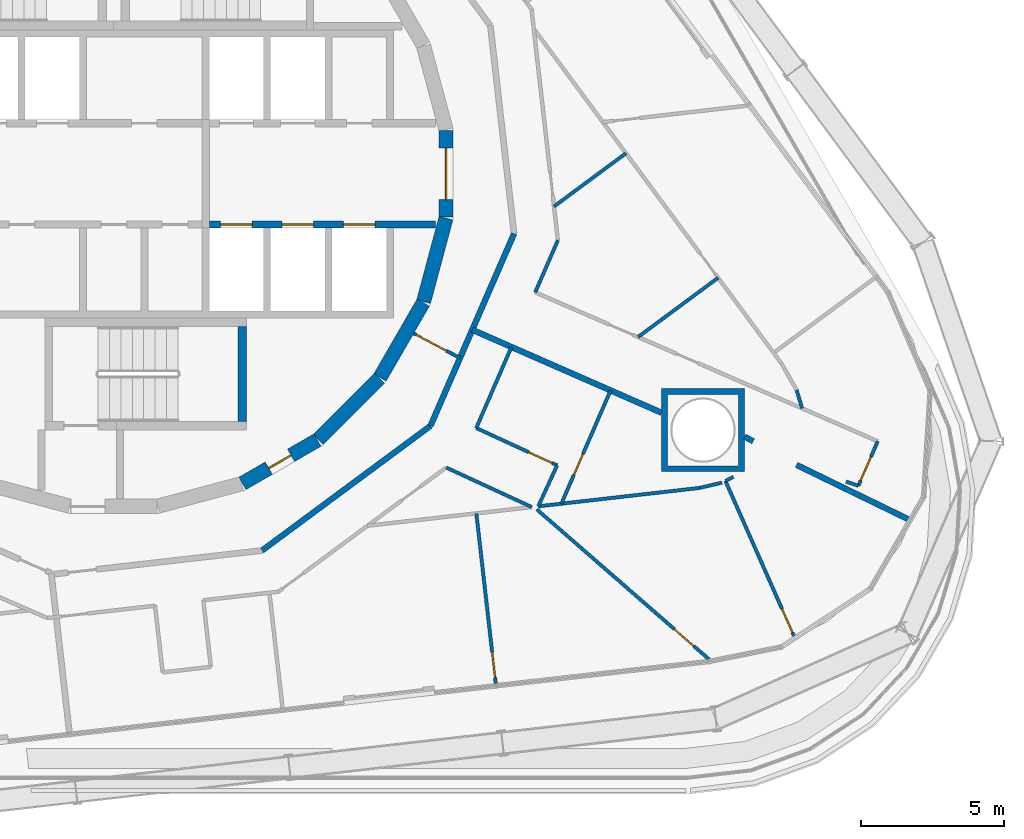
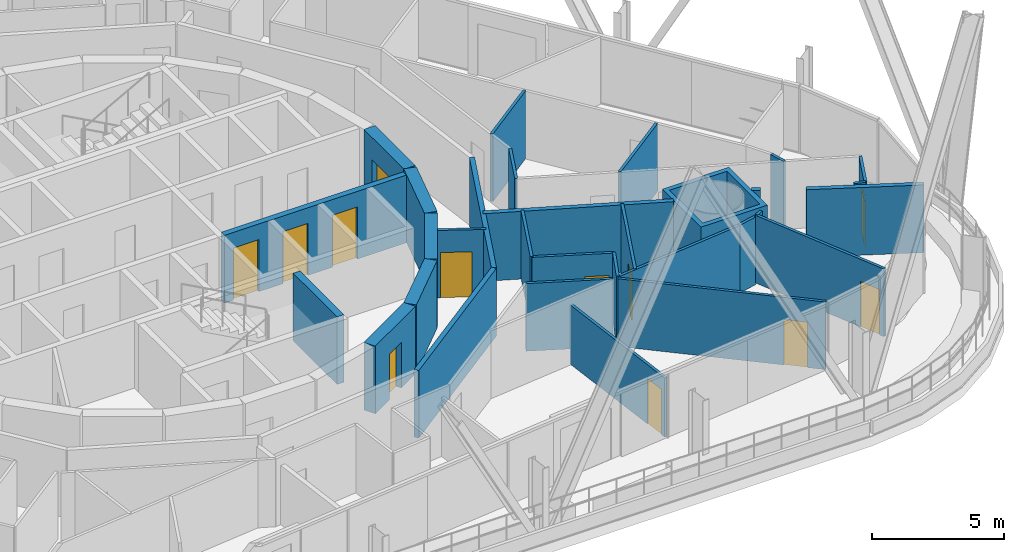
# One storey, part 19 of 32: 31 walls, 12 doors, 12 openings.
"""IFC4 building model written with IfcOpenShell, lengths in metres."""

from ifc_helpers import new_model, si_unit, direction, frame, frame_2d, origin, place, context, subcontext, project, spatial, polyline, rectangle, outline, extrude, material, layer, layer_set, type_object, element, fill, save


model = new_model("IFC4")

# Units and contexts
model_context = context("Model", 3, precision=1e-05, world=origin(), true_north=direction((0.0, 1.0)))
body_context = subcontext(model_context, "Body", "Model", "MODEL_VIEW")
ifc_project = project(units=[si_unit("LENGTHUNIT", "METRE"), si_unit("AREAUNIT", "SQUARE_METRE"), si_unit("VOLUMEUNIT", "CUBIC_METRE"), si_unit("PLANEANGLEUNIT", "RADIAN"), si_unit("MASSUNIT", "GRAM", prefix="KILO")], contexts=[model_context])

# Site, building, storey
site_placement = place(None, origin())
site = spatial("IfcSite", under=ifc_project, at=site_placement, CompositionType="ELEMENT")
building_placement = place(site_placement, origin())
building = spatial("IfcBuilding", under=site, at=building_placement, Name="Spindle Arch Residences", CompositionType="ELEMENT")
storey_placement = place(building_placement, frame((0.0, 0.0, 76.699951171875)))
storey = spatial("IfcBuildingStorey", under=building, at=storey_placement, Name="L17", CompositionType="ELEMENT", Elevation=76.699951171875)

# Wall, opening, door
ifc_material_1 = material(Name="Concrete C50/60", Category="concrete")
ifc_layer_1 = layer(ifc_material_1, 0.5)
ifc_layer_set_1 = layer_set([ifc_layer_1], Name="Core outline wall 500")
wall_type_1 = type_object("IfcWallType", Name="Core outline wall 500", PredefinedType="SHEAR", material=ifc_layer_set_1)
wall_1_placement = place(storey_placement, frame((4.510498046875, -10.84521484375, 0.0), z_axis=(0.0, 0.0, 1.0), x_axis=(0.865975092491, 0.500087131594, 0.0)))
wall_1 = element("IfcWall", 1, at=wall_1_placement, inside=storey, type_object=wall_type_1, Name="Core outline wall 2", PredefinedType="SHEAR", context=body_context, shape_type="SweptSolid", body=[
    extrude(rectangle(XDim=3.03271484375, YDim=0.5, at=frame_2d((1.516357421875, 0.0))), origin(), (0.0, 0.0, 1.0), 3.1201171875),
])
opening_1_placement = place(wall_1_placement, frame((1.06640625, 0.0, 0.0)))
opening_1 = element("IfcOpeningElement", 2, at=opening_1_placement, cuts=wall_1, Name="Opening R2A0-WD09", PredefinedType="OPENING", context=body_context, shape_type="SweptSolid", body=[
    extrude(rectangle(XDim=0.89990234375, YDim=2.10009765625, at=frame_2d((0.449951171875, 1.050048828125))), frame((0.0, 0.260009765625, 0.0), z_axis=(0.0, -1.0, 0.0), x_axis=(1.0, 0.0, 0.0)), (0.0, 0.0, 1.0), 0.52001953125),
])
ifc_material_2 = material(Name="Steel, fire-resisting door", Category="steel")
door_type_1 = type_object("IfcDoorType", Name="Service room door 900x2100", OperationType="SINGLE_SWING_LEFT", PredefinedType="DOOR", material=ifc_material_2)
door_1_placement = place(opening_1_placement, origin())
door_1 = element("IfcDoor", 3, at=door_1_placement, inside=storey, type_object=door_type_1, Name="Service room door R2A0-WD09", OperationType="SINGLE_SWING_RIGHT", OverallHeight=2.10009765625, OverallWidth=0.89990234375, PredefinedType="DOOR", context=body_context, shape_type="SweptSolid", body=[
    extrude(rectangle(XDim=0.89990234375, YDim=2.10009765625, at=frame_2d((0.449951171875, 1.050048828125))), frame((0.0, 0.02490234375, 0.0), z_axis=(0.0, -1.0, 0.0), x_axis=(1.0, 0.0, 0.0)), (0.0, 0.0, 1.0), 0.050048828125),
])
fill(opening_1, door_1)

# Walls
wall_2_placement = place(storey_placement, frame((7.163818359375, -9.30810546875, 0.0), z_axis=(0.0, 0.0, 1.0), x_axis=(0.707106781187, 0.707106781187, 0.0)))
element("IfcWall", 4, at=wall_2_placement, inside=storey, type_object=wall_type_1, Name="Core outline wall 3", PredefinedType="SHEAR", context=body_context, shape_type="SweptSolid", body=[
    extrude(rectangle(XDim=3.032470703125, YDim=0.5, at=frame_2d((1.51611328125, 0.0))), origin(), (0.0, 0.0, 1.0), 3.1201171875),
])
for number, where, z_axis, x_axis, name in (
    (5, (9.32861328125, -7.13671875, 0.0), (0.0, 0.0, 1.0), (0.500087131594, 0.865975092491, 0.0), "Core outline wall 4"),
    (6, (10.858154296875, -4.479248046875, 0.0), (0.0, 0.0, 1.0), (0.258734743916, 0.965948410781, 0.0), "Core outline wall 5"),
):
    element("IfcWall", number, at=place(storey_placement, frame(where, z_axis=z_axis, x_axis=x_axis)), inside=storey, type_object=wall_type_1, Name=name, PredefinedType="SHEAR", context=body_context, shape_type="SweptSolid", body=[
        extrude(rectangle(XDim=3.03271484375, YDim=0.5, at=frame_2d((1.516357421875, 0.0))), origin(), (0.0, 0.0, 1.0), 3.1201171875),
    ])

# Wall, opening, door
wall_3_placement = place(storey_placement, frame((11.647216796875, -1.516357421875, 0.0), z_axis=(0.0, 0.0, 1.0), x_axis=(0.0, 1.0, 0.0)))
wall_3 = element("IfcWall", 7, at=wall_3_placement, inside=storey, type_object=wall_type_1, Name="Core outline wall 6", PredefinedType="SHEAR", context=body_context, shape_type="SweptSolid", body=[
    extrude(rectangle(XDim=3.03271484375, YDim=0.5, at=frame_2d((1.516357421875, 0.0))), origin(), (0.0, 0.0, 1.0), 3.1201171875),
])
opening_2_placement = place(wall_3_placement, frame((0.6162109375, 0.0, 0.0)))
opening_2 = element("IfcOpeningElement", 8, at=opening_2_placement, cuts=wall_3, Name="Opening R2A0-FE01", PredefinedType="OPENING", context=body_context, shape_type="SweptSolid", body=[
    extrude(rectangle(XDim=1.800048828125, YDim=2.10009765625, at=frame_2d((0.89990234375, 1.050048828125))), frame((0.0, 0.260009765625, 0.0), z_axis=(0.0, -1.0, 0.0), x_axis=(1.0, 0.0, 0.0)), (0.0, 0.0, 1.0), 0.52001953125),
])
ifc_material_3 = material(Name="Steel, fire-resisting door", Category="steel")
door_type_2 = type_object("IfcDoorType", Name="Fire-lift lobby door 1800x2100", OperationType="DOUBLE_DOOR_SINGLE_SWING", PredefinedType="DOOR", material=ifc_material_3)
door_2_placement = place(opening_2_placement, origin())
door_2 = element("IfcDoor", 9, at=door_2_placement, inside=storey, type_object=door_type_2, Name="Fire-lift lobby door R2A0-FE01", OperationType="DOUBLE_DOOR_SINGLE_SWING", OverallHeight=2.10009765625, OverallWidth=1.800048828125, PredefinedType="DOOR", context=body_context, shape_type="SweptSolid", body=[
    extrude(rectangle(XDim=1.800048828125, YDim=2.10009765625, at=frame_2d((0.89990234375, 1.050048828125))), frame((0.0, 0.02490234375, 0.0), z_axis=(0.0, -1.0, 0.0), x_axis=(1.0, 0.0, 0.0)), (0.0, 0.0, 1.0), 0.050048828125),
])
fill(opening_2, door_2)

ifc_material_4 = material(Name="Plasterboard on steel studs", Category="steel")
ifc_layer_2 = layer(ifc_material_4, 0.1201171875)
ifc_layer_set_2 = layer_set([ifc_layer_2], Name="Corridor division wall 120")
wall_type_2 = type_object("IfcWallType", Name="Corridor division wall 120", PredefinedType="PARTITIONING", material=ifc_layer_set_2)
wall_4_placement = place(storey_placement, frame((10.510986328125, -5.5888671875, 0.0), z_axis=(0.0, 0.0, 1.0), x_axis=(0.882962602189, -0.469443333253, 0.0)))
wall_4 = element("IfcWall", 10, at=wall_4_placement, inside=storey, type_object=wall_type_2, Name="Corridor division wall R2A0-W002", PredefinedType="PARTITIONING", context=body_context, shape_type="SweptSolid", body=[
    extrude(rectangle(XDim=1.837890625, YDim=0.1201171875, at=frame_2d((0.9189453125, 0.0))), origin(), (0.0, 0.0, 1.0), 3.1201171875),
])
opening_3_placement = place(wall_4_placement, frame((0.10009765625, 0.0, 0.0)))
opening_3 = element("IfcOpeningElement", 11, at=opening_3_placement, cuts=wall_4, Name="Opening R2A0-CD02", PredefinedType="OPENING", context=body_context, shape_type="SweptSolid", body=[
    extrude(rectangle(XDim=1.199951171875, YDim=2.10009765625, at=frame_2d((0.60009765625, 1.050048828125))), frame((0.0, 0.070068359375, 0.0), z_axis=(0.0, -1.0, 0.0), x_axis=(1.0, 0.0, 0.0)), (0.0, 0.0, 1.0), 0.14013671875),
])
ifc_material_5 = material(Name="Steel, fire-resisting door", Category="steel")
door_type_3 = type_object("IfcDoorType", Name="Corridor division door 1200x2100", OperationType="NOTDEFINED", PredefinedType="DOOR", material=ifc_material_5)
door_3_placement = place(opening_3_placement, origin())
door_3 = element("IfcDoor", 12, at=door_3_placement, inside=storey, type_object=door_type_3, Name="Corridor division door R2A0-CD02", OperationType="DOUBLE_DOOR_SINGLE_SWING", OverallHeight=2.10009765625, OverallWidth=1.199951171875, PredefinedType="DOOR", context=body_context, shape_type="SweptSolid", body=[
    extrude(rectangle(XDim=1.199951171875, YDim=2.10009765625, at=frame_2d((0.60009765625, 1.050048828125))), frame((0.0, 0.02490234375, 0.0), z_axis=(0.0, -1.0, 0.0), x_axis=(1.0, 0.0, 0.0)), (0.0, 0.0, 1.0), 0.050048828125),
])
fill(opening_3, door_3)

# Walls
ifc_material_6 = material(Name="Calcium silicate block, plastered")
ifc_layer_3 = layer(ifc_material_6, 0.199951171875)
ifc_layer_set_3 = layer_set([ifc_layer_3], Name="Corridor wall 200")
wall_type_3 = type_object("IfcWallType", Name="Corridor wall 200", PredefinedType="STANDARD", material=ifc_layer_set_3)
for number, where, z_axis, x_axis, name in (
    (13, (11.10009765625, -8.829345703125, 0.0), (0.0, 0.0, 1.0), (0.398741918631, 0.917063183388, 0.0), "Corridor wall R2A0-W004"),
    (14, (5.1982421875, -13.1962890625, 0.0), (0.0, 0.0, 1.0), (0.803869883159, 0.594805187394, 0.0), "Corridor wall R2A0-W015"),
):
    element("IfcWall", number, at=place(storey_placement, frame(where, z_axis=z_axis, x_axis=x_axis)), inside=storey, type_object=wall_type_3, Name=name, PredefinedType="STANDARD", context=body_context, shape_type="SweptSolid", body=[
        extrude(rectangle(XDim=7.341796875, YDim=0.199951171875, at=frame_2d((3.6708984375, 0.0))), origin(), (0.0, 0.0, 1.0), 3.1201171875),
    ])

# Wall, openings, doors
ifc_material_7 = material(Name="Concrete C50/60", Category="concrete")
ifc_layer_4 = layer(ifc_material_7, 0.25)
ifc_layer_set_4 = layer_set([ifc_layer_4], Name="Fire-lift shaft wall 250")
wall_type_4 = type_object("IfcWallType", Name="Fire-lift shaft wall 250", PredefinedType="SHEAR", material=ifc_layer_set_4)
wall_5_placement = place(storey_placement, frame((3.35009765625, -1.77490234375, 0.0), z_axis=(0.0, 0.0, 1.0), x_axis=(1.0, 0.0, 0.0)))
wall_5 = element("IfcWall", 15, at=wall_5_placement, inside=storey, type_object=wall_type_4, Name="Lift shaft front wall SE", PredefinedType="SHEAR", context=body_context, shape_type="SweptSolid", body=[
    extrude(rectangle(XDim=7.929931640625, YDim=0.25, at=frame_2d((3.96484375, 0.0))), origin(), (0.0, 0.0, 1.0), 3.1201171875),
])
opening_4_placement = place(wall_5_placement, frame((0.39990234375, 0.0, 0.0)))
opening_4 = element("IfcOpeningElement", 16, at=opening_4_placement, cuts=wall_5, Name="Opening R2A0-FLD01", PredefinedType="OPENING", context=body_context, shape_type="SweptSolid", body=[
    extrude(rectangle(XDim=1.10009765625, YDim=2.39990234375, at=frame_2d((0.550048828125, 1.199951171875))), frame((0.0, 0.135009765625, 0.0), z_axis=(0.0, -1.0, 0.0), x_axis=(1.0, 0.0, 0.0)), (0.0, 0.0, 1.0), 0.27001953125),
])
opening_5_placement = place(wall_5_placement, frame((2.550048828125, 0.0, 0.0)))
opening_5 = element("IfcOpeningElement", 17, at=opening_5_placement, cuts=wall_5, Name="Opening R2A0-FLD02", PredefinedType="OPENING", context=body_context, shape_type="SweptSolid", body=[
    extrude(rectangle(XDim=1.10009765625, YDim=2.39990234375, at=frame_2d((0.550048828125, 1.199951171875))), frame((0.0, 0.135009765625, 0.0), z_axis=(0.0, -1.0, 0.0), x_axis=(1.0, 0.0, 0.0)), (0.0, 0.0, 1.0), 0.27001953125),
])
opening_6_placement = place(wall_5_placement, frame((4.699951171875, 0.0, 0.0)))
opening_6 = element("IfcOpeningElement", 18, at=opening_6_placement, cuts=wall_5, Name="Opening R2A0-FLD03", PredefinedType="OPENING", context=body_context, shape_type="SweptSolid", body=[
    extrude(rectangle(XDim=1.10009765625, YDim=2.39990234375, at=frame_2d((0.550048828125, 1.199951171875))), frame((0.0, 0.135009765625, 0.0), z_axis=(0.0, -1.0, 0.0), x_axis=(1.0, 0.0, 0.0)), (0.0, 0.0, 1.0), 0.27001953125),
])
ifc_material_8 = material(Name="Steel, fire-resisting landing door", Category="steel")
door_type_4 = type_object("IfcDoorType", Name="Fire-fighting lift landing door 1100x2400", OperationType="DOUBLE_DOOR_SLIDING", PredefinedType="DOOR", material=ifc_material_8)
door_4_placement = place(opening_4_placement, origin())
door_4 = element("IfcDoor", 19, at=door_4_placement, inside=storey, type_object=door_type_4, Name="Fire-fighting lift landing door R2A0-FLD01", OperationType="DOUBLE_DOOR_SLIDING", OverallHeight=2.39990234375, OverallWidth=1.10009765625, PredefinedType="DOOR", context=body_context, shape_type="SweptSolid", body=[
    extrude(rectangle(XDim=1.10009765625, YDim=2.39990234375, at=frame_2d((0.550048828125, 1.199951171875))), frame((0.0, 0.02490234375, 0.0), z_axis=(0.0, -1.0, 0.0), x_axis=(1.0, 0.0, 0.0)), (0.0, 0.0, 1.0), 0.050048828125),
])
fill(opening_4, door_4)
door_5_placement = place(opening_5_placement, origin())
door_5 = element("IfcDoor", 20, at=door_5_placement, inside=storey, type_object=door_type_4, Name="Fire-fighting lift landing door R2A0-FLD02", OperationType="DOUBLE_DOOR_SLIDING", OverallHeight=2.39990234375, OverallWidth=1.10009765625, PredefinedType="DOOR", context=body_context, shape_type="SweptSolid", body=[
    extrude(rectangle(XDim=1.10009765625, YDim=2.39990234375, at=frame_2d((0.550048828125, 1.199951171875))), frame((0.0, 0.02490234375, 0.0), z_axis=(0.0, -1.0, 0.0), x_axis=(1.0, 0.0, 0.0)), (0.0, 0.0, 1.0), 0.050048828125),
])
fill(opening_5, door_5)
door_6_placement = place(opening_6_placement, origin())
door_6 = element("IfcDoor", 21, at=door_6_placement, inside=storey, type_object=door_type_4, Name="Fire-fighting lift landing door R2A0-FLD03", OperationType="DOUBLE_DOOR_SLIDING", OverallHeight=2.39990234375, OverallWidth=1.10009765625, PredefinedType="DOOR", context=body_context, shape_type="SweptSolid", body=[
    extrude(rectangle(XDim=1.10009765625, YDim=2.39990234375, at=frame_2d((0.550048828125, 1.199951171875))), frame((0.0, 0.02490234375, 0.0), z_axis=(0.0, -1.0, 0.0), x_axis=(1.0, 0.0, 0.0)), (0.0, 0.0, 1.0), 0.050048828125),
])
fill(opening_6, door_6)

# Wall
ifc_material_9 = material(Name="Plasterboard on steel studs", Category="steel")
ifc_layer_5 = layer(ifc_material_9, 0.1201171875)
ifc_layer_set_5 = layer_set([ifc_layer_5], Name="Flat partition 120")
wall_type_5 = type_object("IfcWallType", Name="Flat partition 120", PredefinedType="PARTITIONING", material=ifc_layer_set_5)
wall_6_placement = place(storey_placement, frame((25.65869140625, -10.783203125, 0.0), z_axis=(0.0, 0.0, 1.0), x_axis=(0.948362418423, -0.317188781837, 0.0)))
element("IfcWall", 22, at=wall_6_placement, inside=storey, type_object=wall_type_5, Name="Flat partition R2A0-W034", PredefinedType="PARTITIONING", context=body_context, shape_type="SweptSolid", body=[
    extrude(rectangle(XDim=0.457275390625, YDim=0.1201171875, at=frame_2d((0.228515625, 0.0))), origin(), (0.0, 0.0, 1.0), 3.1201171875),
])

# Wall, opening, door
wall_7_placement = place(storey_placement, frame((26.09228515625, -10.92822265625, 0.0), z_axis=(0.0, 0.0, 1.0), x_axis=(0.398783871208, 0.917044941137, 0.0)))
wall_7 = element("IfcWall", 23, at=wall_7_placement, inside=storey, type_object=wall_type_5, Name="Flat partition R2A0-W035", PredefinedType="PARTITIONING", context=body_context, shape_type="SweptSolid", body=[
    extrude(rectangle(XDim=1.7001953125, YDim=0.1201171875, at=frame_2d((0.85009765625, 0.0))), origin(), (0.0, 0.0, 1.0), 3.1201171875),
])
opening_7_placement = place(wall_7_placement, frame((0.199951171875, 0.0, 0.0)))
opening_7 = element("IfcOpeningElement", 24, at=opening_7_placement, cuts=wall_7, Name="Opening R2A0-ID02", PredefinedType="OPENING", context=body_context, shape_type="SweptSolid", body=[
    extrude(rectangle(XDim=0.89990234375, YDim=2.10009765625, at=frame_2d((0.449951171875, 1.050048828125))), frame((0.0, 0.070068359375, 0.0), z_axis=(0.0, -1.0, 0.0), x_axis=(1.0, 0.0, 0.0)), (0.0, 0.0, 1.0), 0.14013671875),
])
ifc_material_10 = material(Name="Timber door set", Category="wood")
door_type_5 = type_object("IfcDoorType", Name="Room door 900x2100", OperationType="NOTDEFINED", PredefinedType="DOOR", material=ifc_material_10)
door_7_placement = place(opening_7_placement, origin())
door_7 = element("IfcDoor", 25, at=door_7_placement, inside=storey, type_object=door_type_5, Name="Room door R2A0-ID02", OperationType="SINGLE_SWING_LEFT", OverallHeight=2.10009765625, OverallWidth=0.89990234375, PredefinedType="DOOR", context=body_context, shape_type="SweptSolid", body=[
    extrude(rectangle(XDim=0.89990234375, YDim=2.10009765625, at=frame_2d((0.449951171875, 1.050048828125))), frame((0.0, 0.02490234375, 0.0), z_axis=(0.0, -1.0, 0.0), x_axis=(1.0, 0.0, 0.0)), (0.0, 0.0, 1.0), 0.050048828125),
])
fill(opening_7, door_7)

# Walls
wall_8_placement = place(storey_placement, frame((14.769775390625, -4.151123046875, 0.0), z_axis=(0.0, 0.0, 1.0), x_axis=(0.39868125503, 0.917089557725, 0.0)))
element("IfcWall", 26, at=wall_8_placement, inside=storey, type_object=wall_type_5, Name="Flat partition R2A0-W037", PredefinedType="PARTITIONING", context=body_context, shape_type="SweptSolid", body=[
    extrude(rectangle(XDim=1.990234375, YDim=0.1201171875, at=frame_2d((0.9951171875, 0.0))), origin(), (0.0, 0.0, 1.0), 3.1201171875),
])
wall_9_placement = place(storey_placement, frame((15.428466796875, -1.1416015625, 0.0), z_axis=(0.0, 0.0, 1.0), x_axis=(0.803871695022, 0.594802738681, 0.0)))
element("IfcWall", 27, at=wall_9_placement, inside=storey, type_object=wall_type_5, Name="Flat partition R2A0-W039", PredefinedType="PARTITIONING", context=body_context, shape_type="SweptSolid", body=[
    extrude(rectangle(XDim=3.13427734375, YDim=0.1201171875, at=frame_2d((1.567138671875, 0.0))), origin(), (0.0, 0.0, 1.0), 3.1201171875),
])
wall_10_placement = place(storey_placement, frame((23.9296875, -7.573486328125, 0.0), z_axis=(0.0, 0.0, 1.0), x_axis=(0.28441027407, -0.958702662979, 0.0)))
element("IfcWall", 28, at=wall_10_placement, inside=storey, type_object=wall_type_5, Name="Flat partition R2A0-W044", PredefinedType="PARTITIONING", context=body_context, shape_type="SweptSolid", body=[
    extrude(rectangle(XDim=0.67138671875, YDim=0.1201171875, at=frame_2d((0.335693359375, 0.0))), origin(), (0.0, 0.0, 1.0), 3.1201171875),
])
wall_11_placement = place(storey_placement, frame((21.17724609375, -3.641357421875, 0.0), z_axis=(0.0, 0.0, 1.0), x_axis=(-0.803878021343, -0.594794188608, 0.0)))
element("IfcWall", 29, at=wall_11_placement, inside=storey, type_object=wall_type_5, Name="Flat partition R2A0-W046", PredefinedType="PARTITIONING", context=body_context, shape_type="SweptSolid", body=[
    extrude(rectangle(XDim=3.490234375, YDim=0.1201171875, at=frame_2d((1.7451171875, 0.0))), origin(), (0.0, 0.0, 1.0), 3.1201171875),
])
wall_12_placement = place(storey_placement, frame((11.648681640625, -10.289306640625, 0.0), z_axis=(0.0, 0.0, 1.0), x_axis=(0.9079269461, -0.419128453514, 0.0)))
element("IfcWall", 30, at=wall_12_placement, inside=storey, type_object=wall_type_5, Name="Flat partition R2A0-W119", PredefinedType="PARTITIONING", context=body_context, shape_type="SweptSolid", body=[
    extrude(rectangle(XDim=3.304443359375, YDim=0.1201171875, at=frame_2d((1.65234375, 0.0))), origin(), (0.0, 0.0, 1.0), 3.1201171875),
])
wall_13_placement = place(storey_placement, frame((14.87548828125, -11.6484375, 0.0), z_axis=(0.0, 0.0, 1.0), x_axis=(0.419087543301, 0.90794583046, 0.0)))
element("IfcWall", 31, at=wall_13_placement, inside=storey, type_object=wall_type_5, Name="Flat partition R2A0-W120", PredefinedType="PARTITIONING", context=body_context, shape_type="SweptSolid", body=[
    extrude(rectangle(XDim=1.58154296875, YDim=0.1201171875, at=frame_2d((0.790771484375, 0.0))), origin(), (0.0, 0.0, 1.0), 3.1201171875),
])

# Wall, opening, door
wall_14_placement = place(storey_placement, frame((15.538330078125, -10.21240234375, 0.0), z_axis=(0.0, 0.0, 1.0), x_axis=(-0.907941075756, 0.419097844131, 0.0)))
wall_14 = element("IfcWall", 32, at=wall_14_placement, inside=storey, type_object=wall_type_5, Name="Flat partition R2A0-W121", PredefinedType="PARTITIONING", context=body_context, shape_type="SweptSolid", body=[
    extrude(rectangle(XDim=3.122314453125, YDim=0.1201171875, at=frame_2d((1.56103515625, 0.0))), origin(), (0.0, 0.0, 1.0), 3.1201171875),
])
opening_8_placement = place(wall_14_placement, frame((0.199951171875, 0.0, 0.0)))
opening_8 = element("IfcOpeningElement", 33, at=opening_8_placement, cuts=wall_14, Name="Opening R2A0-ID31", PredefinedType="OPENING", context=body_context, shape_type="SweptSolid", body=[
    extrude(rectangle(XDim=0.89990234375, YDim=2.10009765625, at=frame_2d((0.449951171875, 1.050048828125))), frame((0.0, 0.070068359375, 0.0), z_axis=(0.0, -1.0, 0.0), x_axis=(1.0, 0.0, 0.0)), (0.0, 0.0, 1.0), 0.14013671875),
])
door_8_placement = place(opening_8_placement, origin())
door_8 = element("IfcDoor", 34, at=door_8_placement, inside=storey, type_object=door_type_5, Name="Room door R2A0-ID31", OperationType="SINGLE_SWING_LEFT", OverallHeight=2.10009765625, OverallWidth=0.89990234375, PredefinedType="DOOR", context=body_context, shape_type="SweptSolid", body=[
    extrude(rectangle(XDim=0.89990234375, YDim=2.10009765625, at=frame_2d((0.449951171875, 1.050048828125))), frame((0.0, 0.02490234375, 0.0), z_axis=(0.0, -1.0, 0.0), x_axis=(1.0, 0.0, 0.0)), (0.0, 0.0, 1.0), 0.050048828125),
])
fill(opening_8, door_8)

# Wall
wall_15_placement = place(storey_placement, frame((12.703369140625, -8.90380859375, 0.0), z_axis=(0.0, 0.0, 1.0), x_axis=(0.398679720725, 0.917090224723, 0.0)))
element("IfcWall", 35, at=wall_15_placement, inside=storey, type_object=wall_type_5, Name="Flat partition R2A0-W122", PredefinedType="PARTITIONING", context=body_context, shape_type="SweptSolid", body=[
    extrude(rectangle(XDim=3.0791015625, YDim=0.1201171875, at=frame_2d((1.53955078125, 0.0))), origin(), (0.0, 0.0, 1.0), 3.1201171875),
])

# Wall, opening, door
wall_16_placement = place(storey_placement, frame((20.856201171875, -17.005859375, 0.0), z_axis=(0.0, 0.0, 1.0), x_axis=(-0.75423134567, 0.656608770281, 0.0)))
wall_16 = element("IfcWall", 36, at=wall_16_placement, inside=storey, type_object=wall_type_5, Name="Flat partition R2A0-W126", PredefinedType="PARTITIONING", context=body_context, shape_type="SweptSolid", body=[
    extrude(rectangle(XDim=7.995361328125, YDim=0.1201171875, at=frame_2d((3.99755859375, 0.0))), origin(), (0.0, 0.0, 1.0), 3.1201171875),
])
opening_9_placement = place(wall_16_placement, frame((0.699951171875, 0.0, 0.0)))
opening_9 = element("IfcOpeningElement", 37, at=opening_9_placement, cuts=wall_16, Name="Opening R2A0-ID33", PredefinedType="OPENING", context=body_context, shape_type="SweptSolid", body=[
    extrude(rectangle(XDim=0.89990234375, YDim=2.10009765625, at=frame_2d((0.449951171875, 1.050048828125))), frame((0.0, 0.070068359375, 0.0), z_axis=(0.0, -1.0, 0.0), x_axis=(1.0, 0.0, 0.0)), (0.0, 0.0, 1.0), 0.14013671875),
])
door_9_placement = place(opening_9_placement, origin())
door_9 = element("IfcDoor", 38, at=door_9_placement, inside=storey, type_object=door_type_5, Name="Room door R2A0-ID33", OperationType="SINGLE_SWING_RIGHT", OverallHeight=2.10009765625, OverallWidth=0.89990234375, PredefinedType="DOOR", context=body_context, shape_type="SweptSolid", body=[
    extrude(rectangle(XDim=0.89990234375, YDim=2.10009765625, at=frame_2d((0.449951171875, 1.050048828125))), frame((0.0, 0.02490234375, 0.0), z_axis=(0.0, -1.0, 0.0), x_axis=(1.0, 0.0, 0.0)), (0.0, 0.0, 1.0), 0.050048828125),
])
fill(opening_9, door_9)

# Walls
wall_17_placement = place(storey_placement, frame((20.52685546875, -11.00439453125, 0.0), z_axis=(0.0, 0.0, 1.0), x_axis=(-0.993568869194, -0.113229422712, 0.0)))
element("IfcWall", 39, at=wall_17_placement, inside=storey, type_object=wall_type_5, Name="Flat partition R2A0-W127", PredefinedType="PARTITIONING", context=body_context, shape_type="SweptSolid", body=[
    extrude(rectangle(XDim=5.68798828125, YDim=0.1201171875, at=frame_2d((2.843994140625, 0.0))), origin(), (0.0, 0.0, 1.0), 3.1201171875),
])
wall_18_placement = place(storey_placement, frame((21.3125, -10.82080078125, 0.0), z_axis=(0.0, 0.0, 1.0), x_axis=(-0.973765266404, -0.227554841621, 0.0)))
element("IfcWall", 40, at=wall_18_placement, inside=storey, type_object=wall_type_5, Name="Flat partition R2A0-W128", PredefinedType="PARTITIONING", context=body_context, shape_type="SweptSolid", body=[
    extrude(rectangle(XDim=0.806884765625, YDim=0.1201171875, at=frame_2d((0.4033203125, 0.0))), origin(), (0.0, 0.0, 1.0), 3.1201171875),
])

# Wall, opening, door
wall_19_placement = place(storey_placement, frame((23.863525390625, -16.253173828125, 0.0), z_axis=(0.0, 0.0, 1.0), x_axis=(-0.404274566917, 0.914637673915, 0.0)))
wall_19 = element("IfcWall", 41, at=wall_19_placement, inside=storey, type_object=wall_type_5, Name="Flat partition R2A0-W129", PredefinedType="PARTITIONING", context=body_context, shape_type="SweptSolid", body=[
    extrude(rectangle(XDim=6.00634765625, YDim=0.1201171875, at=frame_2d((3.003173828125, 0.0))), origin(), (0.0, 0.0, 1.0), 3.1201171875),
])
opening_10_placement = place(wall_19_placement, frame((0.199951171875, 0.0, 0.0)))
opening_10 = element("IfcOpeningElement", 42, at=opening_10_placement, cuts=wall_19, Name="Opening R2A0-ID34", PredefinedType="OPENING", context=body_context, shape_type="SweptSolid", body=[
    extrude(rectangle(XDim=0.89990234375, YDim=2.10009765625, at=frame_2d((0.449951171875, 1.050048828125))), frame((0.0, 0.070068359375, 0.0), z_axis=(0.0, -1.0, 0.0), x_axis=(1.0, 0.0, 0.0)), (0.0, 0.0, 1.0), 0.14013671875),
])
door_10_placement = place(opening_10_placement, origin())
door_10 = element("IfcDoor", 43, at=door_10_placement, inside=storey, type_object=door_type_5, Name="Room door R2A0-ID34", OperationType="SINGLE_SWING_RIGHT", OverallHeight=2.10009765625, OverallWidth=0.89990234375, PredefinedType="DOOR", context=body_context, shape_type="SweptSolid", body=[
    extrude(rectangle(XDim=0.89990234375, YDim=2.10009765625, at=frame_2d((0.449951171875, 1.050048828125))), frame((0.0, 0.02490234375, 0.0), z_axis=(0.0, -1.0, 0.0), x_axis=(1.0, 0.0, 0.0)), (0.0, 0.0, 1.0), 0.050048828125),
])
fill(opening_10, door_10)

wall_20_placement = place(storey_placement, frame((15.685546875, -11.55615234375, 0.0), z_axis=(0.0, 0.0, 1.0), x_axis=(0.398740569839, 0.917063769846, 0.0)))
wall_20 = element("IfcWall", 44, at=wall_20_placement, inside=storey, type_object=wall_type_5, Name="Flat partition R2A0-W130", PredefinedType="PARTITIONING", context=body_context, shape_type="SweptSolid", body=[
    extrude(rectangle(XDim=4.322021484375, YDim=0.1201171875, at=frame_2d((2.1611328125, 0.0))), origin(), (0.0, 0.0, 1.0), 3.1201171875),
])
opening_11_placement = place(wall_20_placement, frame((1.10009765625, 0.0, 0.0)))
opening_11 = element("IfcOpeningElement", 45, at=opening_11_placement, cuts=wall_20, Name="Opening R2A0-BD08", PredefinedType="OPENING", context=body_context, shape_type="SweptSolid", body=[
    extrude(rectangle(XDim=0.800048828125, YDim=2.10009765625, at=frame_2d((0.39990234375, 1.050048828125))), frame((0.0, 0.070068359375, 0.0), z_axis=(0.0, -1.0, 0.0), x_axis=(1.0, 0.0, 0.0)), (0.0, 0.0, 1.0), 0.14013671875),
])
ifc_material_11 = material(Name="Timber door set", Category="wood")
door_type_6 = type_object("IfcDoorType", Name="Bathroom door 800x2100", OperationType="NOTDEFINED", PredefinedType="DOOR", material=ifc_material_11)
door_11_placement = place(opening_11_placement, origin())
door_11 = element("IfcDoor", 46, at=door_11_placement, inside=storey, type_object=door_type_6, Name="Bathroom door R2A0-BD08", OperationType="SINGLE_SWING_RIGHT", OverallHeight=2.10009765625, OverallWidth=0.800048828125, PredefinedType="DOOR", context=body_context, shape_type="SweptSolid", body=[
    extrude(rectangle(XDim=0.800048828125, YDim=2.10009765625, at=frame_2d((0.39990234375, 1.050048828125))), frame((0.0, 0.02490234375, 0.0), z_axis=(0.0, -1.0, 0.0), x_axis=(1.0, 0.0, 0.0)), (0.0, 0.0, 1.0), 0.050048828125),
])
fill(opening_11, door_11)

# Wall
wall_21_placement = place(storey_placement, frame((21.435302734375, -10.759521484375, 0.0), z_axis=(0.0, 0.0, 1.0), x_axis=(0.895041493646, 0.445982874841, 0.0)))
element("IfcWall", 47, at=wall_21_placement, inside=storey, type_object=wall_type_5, Name="Flat partition R2A0-W131", PredefinedType="PARTITIONING", context=body_context, shape_type="SweptSolid", body=[
    extrude(rectangle(XDim=0.3173828125, YDim=0.1201171875, at=frame_2d((0.15869140625, 0.0))), origin(), (0.0, 0.0, 1.0), 3.1201171875),
])

# Wall, opening, door
ifc_material_12 = material(Name="Plasterboard on steel studs", Category="steel")
ifc_layer_6 = layer(ifc_material_12, 0.1201171875)
ifc_layer_set_6 = layer_set([ifc_layer_6], Name="Flat partition 120 under beam 2730")
wall_type_6 = type_object("IfcWallType", Name="Flat partition 120 under beam 2730", PredefinedType="PARTITIONING", material=ifc_layer_set_6)
wall_22_placement = place(storey_placement, frame((13.3857421875, -17.85693359375, 0.0), z_axis=(0.0, 0.0, 1.0), x_axis=(-0.113200012983, 0.993572220355, 0.0)))
wall_22 = element("IfcWall", 48, at=wall_22_placement, inside=storey, type_object=wall_type_6, Name="Flat partition R2A0-W125", PredefinedType="PARTITIONING", context=body_context, shape_type="SweptSolid", body=[
    extrude(rectangle(XDim=6.0, YDim=0.1201171875, at=frame_2d((3.0, 0.0))), origin(), (0.0, 0.0, 1.0), 2.72998046875),
])
opening_12_placement = place(wall_22_placement, frame((0.199951171875, 0.0, 0.0)))
opening_12 = element("IfcOpeningElement", 49, at=opening_12_placement, cuts=wall_22, Name="Opening R2A0-ID32", PredefinedType="OPENING", context=body_context, shape_type="SweptSolid", body=[
    extrude(rectangle(XDim=0.89990234375, YDim=2.10009765625, at=frame_2d((0.449951171875, 1.050048828125))), frame((0.0, 0.070068359375, 0.0), z_axis=(0.0, -1.0, 0.0), x_axis=(1.0, 0.0, 0.0)), (0.0, 0.0, 1.0), 0.14013671875),
])
door_12_placement = place(opening_12_placement, origin())
door_12 = element("IfcDoor", 50, at=door_12_placement, inside=storey, type_object=door_type_5, Name="Room door R2A0-ID32", OperationType="SINGLE_SWING_RIGHT", OverallHeight=2.10009765625, OverallWidth=0.89990234375, PredefinedType="DOOR", context=body_context, shape_type="SweptSolid", body=[
    extrude(rectangle(XDim=0.89990234375, YDim=2.10009765625, at=frame_2d((0.449951171875, 1.050048828125))), frame((0.0, 0.02490234375, 0.0), z_axis=(0.0, -1.0, 0.0), x_axis=(1.0, 0.0, 0.0)), (0.0, 0.0, 1.0), 0.050048828125),
])
fill(opening_12, door_12)

# Walls
ifc_material_13 = material(Name="Calcium silicate block, plastered")
ifc_layer_7 = layer(ifc_material_13, 0.199951171875)
ifc_layer_set_7 = layer_set([ifc_layer_7], Name="Flat party wall 200")
wall_type_7 = type_object("IfcWallType", Name="Flat party wall 200", PredefinedType="STANDARD", material=ifc_layer_set_7)
wall_23_placement = place(storey_placement, frame((12.563720703125, -5.462890625, 0.0), z_axis=(0.0, 0.0, 1.0), x_axis=(0.915914014963, -0.401374534812, 0.0)))
element("IfcWall", 51, at=wall_23_placement, inside=storey, type_object=wall_type_7, Name="Flat party wall R2A0-W017", PredefinedType="STANDARD", context=body_context, shape_type="SweptSolid", body=[
    extrude(rectangle(XDim=7.23583984375, YDim=0.199951171875, at=frame_2d((3.617919921875, 0.0))), origin(), (0.0, 0.0, 1.0), 3.1201171875),
])
wall_24_placement = place(storey_placement, frame((22.107666015625, -9.20654296875, 0.0), z_axis=(0.0, 0.0, 1.0), x_axis=(0.878251516807, -0.478198989151, 0.0)))
element("IfcWall", 52, at=wall_24_placement, inside=storey, type_object=wall_type_7, Name="Flat party wall R2A0-W018", PredefinedType="STANDARD", context=body_context, shape_type="SweptSolid", body=[
    extrude(rectangle(XDim=0.340576171875, YDim=0.199951171875, at=frame_2d((0.17041015625, 0.0))), origin(), (0.0, 0.0, 1.0), 3.1201171875),
])
wall_25_placement = place(storey_placement, frame((23.929443359375, -10.197998046875, 0.0), z_axis=(0.0, 0.0, 1.0), x_axis=(0.899252572086, -0.437429779046, 0.0)))
element("IfcWall", 53, at=wall_25_placement, inside=storey, type_object=wall_type_7, Name="Flat party wall R2A0-W019", PredefinedType="STANDARD", context=body_context, shape_type="SweptSolid", body=[
    extrude(rectangle(XDim=4.453857421875, YDim=0.199951171875, at=frame_2d((2.22705078125, 0.0))), origin(), (0.0, 0.0, 1.0), 3.1201171875),
])
ifc_material_14 = material(Name="Calcium silicate block, plastered")
ifc_layer_8 = layer(ifc_material_14, 0.199951171875)
ifc_layer_set_8 = layer_set([ifc_layer_8], Name="Mega-column casing wall 200")
wall_type_8 = type_object("IfcWallType", Name="Mega-column casing wall 200", PredefinedType="STANDARD", material=ifc_layer_set_8)
wall_26_placement = place(storey_placement, origin())
element("IfcWall", 54, at=wall_26_placement, inside=storey, type_object=wall_type_8, Name="Mega-column casing wall R2A0-WC03", PredefinedType="STANDARD", context=body_context, shape_type="SweptSolid", body=[
    extrude(outline(polyline([(22.09765625, -7.52783203125), (22.09765625, -10.427734375), (19.197509765625, -10.427734375), (19.197509765625, -7.52783203125), (22.09765625, -7.52783203125)]), holes=[polyline([(19.397705078125, -10.227783203125), (21.897705078125, -10.227783203125), (21.897705078125, -7.727783203125), (19.397705078125, -7.727783203125), (19.397705078125, -10.227783203125)])]), origin(), (0.0, 0.0, 1.0), 3.1201171875),
])
ifc_material_15 = material(Name="Concrete C50/60", Category="concrete")
ifc_layer_9 = layer(ifc_material_15, 0.300048828125)
ifc_layer_set_9 = layer_set([ifc_layer_9], Name="Stair enclosure wall 300")
wall_type_9 = type_object("IfcWallType", Name="Stair enclosure wall 300", PredefinedType="SHEAR", material=ifc_layer_set_9)
wall_27_placement = place(storey_placement, frame((4.5, -8.669921875, 0.0), z_axis=(0.0, 0.0, 1.0), x_axis=(0.0, 1.0, 0.0)))
element("IfcWall", 55, at=wall_27_placement, inside=storey, type_object=wall_type_9, Name="Stair ST-3 enclosure wall E", PredefinedType="SHEAR", context=body_context, shape_type="SweptSolid", body=[
    extrude(rectangle(XDim=3.31982421875, YDim=0.300048828125, at=frame_2d((1.659912109375, 0.0))), origin(), (0.0, 0.0, 1.0), 3.1201171875),
])

save(model, "model.ifc")
